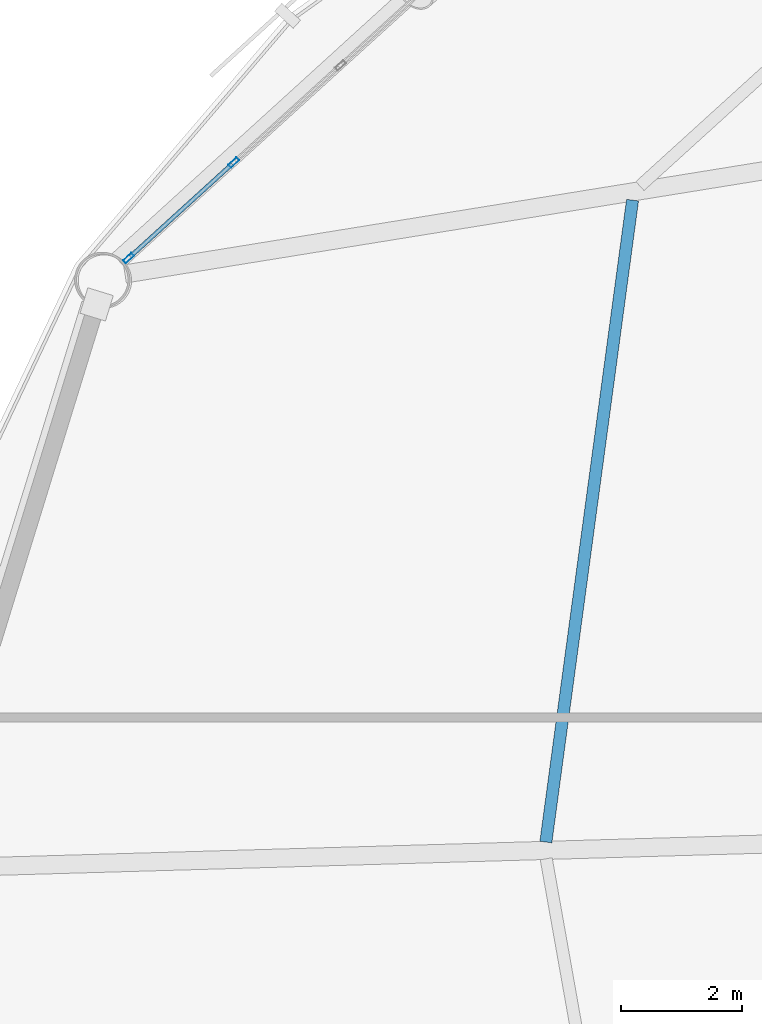
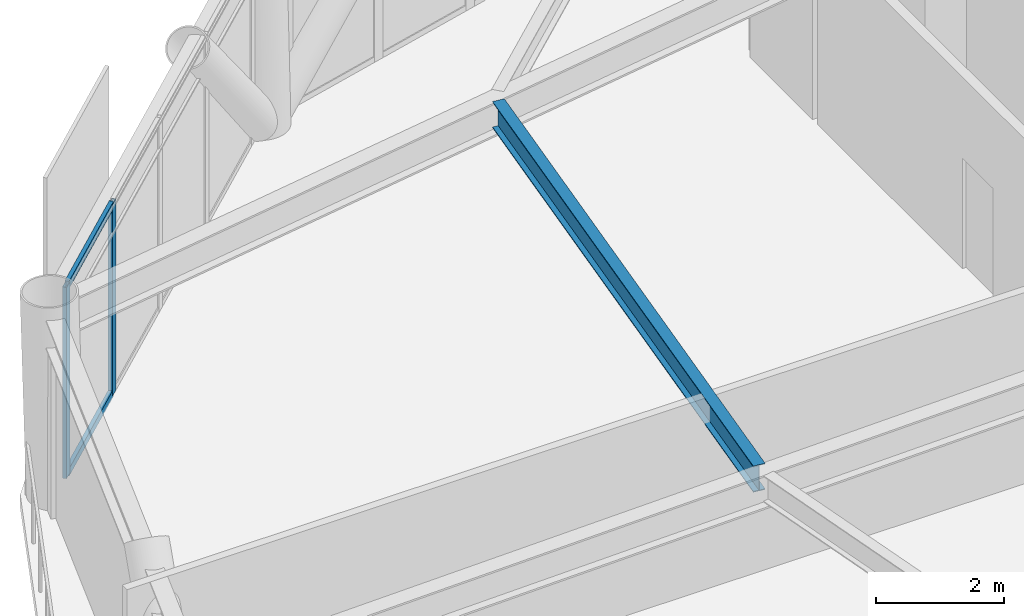
# One storey, part 10 of 25: 4 members, 1 beam, 1 element without a shape of its own.
"""IFC4 building model written with IfcOpenShell, lengths in metres."""

from ifc_helpers import new_model, si_unit, direction, frame, origin, origin_2d, place, context, subcontext, project, spatial, hollow_rectangle, i_section, extrude, material, layer, layer_set, material_profile, profile_set, type_object, element, aggregate, save


model = new_model("IFC4")

# Units and contexts
model_context = context("Model", 3, precision=1e-05, world=origin(), true_north=direction((0.0, 1.0)))
body_context = subcontext(model_context, "Body", "Model", "MODEL_VIEW")
ifc_project = project(units=[si_unit("LENGTHUNIT", "METRE"), si_unit("AREAUNIT", "SQUARE_METRE"), si_unit("VOLUMEUNIT", "CUBIC_METRE"), si_unit("PLANEANGLEUNIT", "RADIAN"), si_unit("MASSUNIT", "GRAM", prefix="KILO")], contexts=[model_context])

# Site, building, storey
site_placement = place(None, origin())
site = spatial("IfcSite", under=ifc_project, at=site_placement, CompositionType="ELEMENT")
building_placement = place(site_placement, origin())
building = spatial("IfcBuilding", under=site, at=building_placement, Name="Varnakorn Sky Granary", CompositionType="ELEMENT")
storey_placement = place(building_placement, frame((0.0, 0.0, 62.699951171875)))
storey = spatial("IfcBuildingStorey", under=building, at=storey_placement, Name="L15", CompositionType="ELEMENT", Elevation=62.699951171875)

# Beam
ifc_material_1 = material(Name="Steel S355JR", Category="steel")
ifc_material_profile_1 = material_profile(ifc_material_1, i_section(OverallWidth=0.199951171875, OverallDepth=0.5, WebThickness=0.01025390625, FlangeThickness=0.01611328125, at=origin_2d()), Name="IPE 500")
ifc_profile_set_1 = profile_set([ifc_material_profile_1], Name="Steel S355JR")
beam_type = type_object("IfcBeamType", Name="BM-SEC-Z1", PredefinedType="BEAM", material=ifc_profile_set_1)
beam_placement = place(storey_placement, frame((-11.266357421875, 11.0546875, 3.39013671875), z_axis=(-0.13381021494, -0.991006975948, 0.0), x_axis=(0.991006975948, -0.13381021494, 0.0)))
element("IfcBeam", 1, at=beam_placement, inside=storey, type_object=beam_type, Name="Secondary Floor Chord Beam MSB06 L15", PredefinedType="BEAM", context=body_context, shape_type="SweptSolid", body=[
    extrude(i_section(OverallWidth=0.199951171875, OverallDepth=0.5, WebThickness=0.01025390625, FlangeThickness=0.01611328125, at=origin_2d()), origin(), (0.0, 0.0, 1.0), 10.7119140625),
])

# Curtain wall, members
ifc_material_2 = material(Name="Anodised Bronze Aluminium Alloy 6063-T6", Category="aluminium")
ifc_layer = layer(ifc_material_2, 0.18994140625, Name="Anodised Bronze Aluminium Alloy 6063-T6")
ifc_layer_set = layer_set([ifc_layer], Name="Anodised Bronze Aluminium Alloy 6063-T6")
curtain_wall_type = type_object("IfcCurtainWallType", Name="CW-FRM-1", PredefinedType="USERDEFINED", material=ifc_layer_set)
curtain_wall_placement = place(storey_placement, origin())
curtain_wall = element("IfcCurtainWall", 2, at=curtain_wall_placement, inside=storey, type_object=curtain_wall_type, Name="Unitised Curtain Wall CW3 CW-L15-B05", ObjectType="CURTAIN WALL", PredefinedType="USERDEFINED")
ifc_material_profile_2 = material_profile(ifc_material_2, hollow_rectangle(XDim=0.070068359375, YDim=0.18505859375, WallThickness=0.00390625, at=origin_2d()), Name="ALU MULL 70x185")
ifc_profile_set_2 = profile_set([ifc_material_profile_2], Name="Anodised Bronze Aluminium Alloy 6063-T6")
member_type_1 = type_object("IfcMemberType", Name="CW-FRM-1-MULL", PredefinedType="MULLION", material=ifc_profile_set_2)
member_1_placement = place(storey_placement, frame((-19.599609375, 10.095458984375, 0.0), z_axis=(0.0, 0.0, 1.0), x_axis=(-0.673050871898, 0.739596189712, 0.0)))
member_1 = element("IfcMember", 3, at=member_1_placement, type_object=member_type_1, Name="CW3 mullion 1", PredefinedType="MULLION", context=body_context, shape_type="SweptSolid", body=[
    extrude(hollow_rectangle(XDim=0.070068359375, YDim=0.18505859375, WallThickness=0.00390625, at=origin_2d()), origin(), (0.0, 0.0, 1.0), 3.64013671875),
])
member_2_placement = place(storey_placement, frame((-17.861083984375, 11.677734375, 0.0), z_axis=(0.0, 0.0, 1.0), x_axis=(-0.673050871898, 0.739596189712, 0.0)))
member_2 = element("IfcMember", 4, at=member_2_placement, type_object=member_type_1, Name="CW3 mullion 2", PredefinedType="MULLION", context=body_context, shape_type="SweptSolid", body=[
    extrude(hollow_rectangle(XDim=0.070068359375, YDim=0.18505859375, WallThickness=0.00390625, at=origin_2d()), origin(), (0.0, 0.0, 1.0), 3.64013671875),
])
ifc_material_profile_3 = material_profile(ifc_material_2, hollow_rectangle(XDim=0.070068359375, YDim=0.139892578125, WallThickness=0.00341796875, at=origin_2d()), Name="ALU TRAN 70x140")
ifc_profile_set_3 = profile_set([ifc_material_profile_3], Name="Anodised Bronze Aluminium Alloy 6063-T6")
member_type_2 = type_object("IfcMemberType", Name="CW-FRM-1-TRAN", PredefinedType="USERDEFINED", material=ifc_profile_set_3)
member_3_placement = place(storey_placement, frame((-19.57373046875, 10.119140625, 0.03515625), z_axis=(0.739615443483, 0.673029713877, 0.0), x_axis=(-0.673029713877, 0.739615443483, 0.0)))
member_3 = element("IfcMember", 5, at=member_3_placement, type_object=member_type_2, Name="CW3 transom 1.1", ObjectType="TRANSOM", PredefinedType="USERDEFINED", context=body_context, shape_type="SweptSolid", body=[
    extrude(hollow_rectangle(XDim=0.070068359375, YDim=0.139892578125, WallThickness=0.00341796875, at=origin_2d()), origin(), (0.0, 0.0, 1.0), 2.280517578125),
])
member_4_placement = place(storey_placement, frame((-19.57373046875, 10.119140625, 3.60498046875), z_axis=(0.739615443483, 0.673029713877, 0.0), x_axis=(-0.673029713877, 0.739615443483, 0.0)))
member_4 = element("IfcMember", 6, at=member_4_placement, type_object=member_type_2, Name="CW3 transom 1.2", ObjectType="TRANSOM", PredefinedType="USERDEFINED", context=body_context, shape_type="SweptSolid", body=[
    extrude(hollow_rectangle(XDim=0.070068359375, YDim=0.139892578125, WallThickness=0.00341796875, at=origin_2d()), origin(), (0.0, 0.0, 1.0), 2.280517578125),
])
aggregate(curtain_wall, [member_1, member_2, member_3, member_4])

save(model, "model.ifc")
